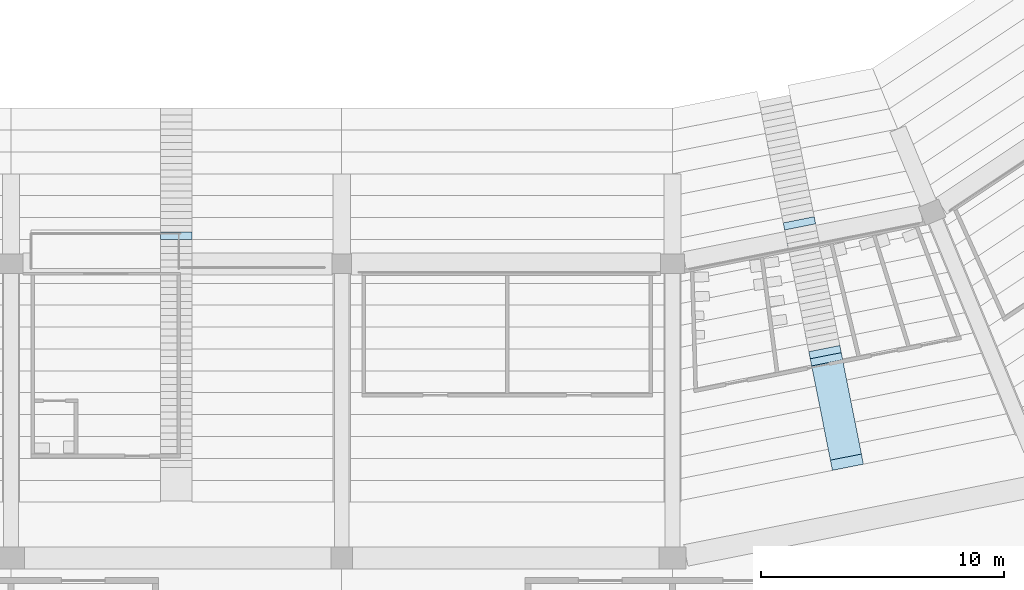
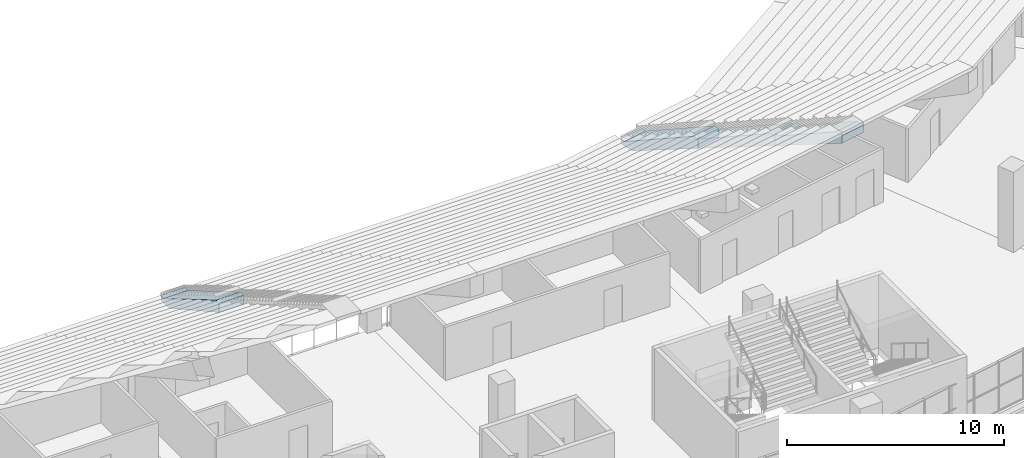
# One storey, part 67 of 249: 4 slabs.
"""IFC4 building model written with IfcOpenShell, lengths in metres."""

from ifc_helpers import new_model, si_unit, direction, frame, origin, place, context, subcontext, project, spatial, polyline, outline, extrude, material, layer, layer_set, type_object, element, save


model = new_model("IFC4")

# Units and contexts
model_context = context("Model", 3, precision=1e-05, world=origin(), true_north=direction((0.0, 1.0)))
body_context = subcontext(model_context, "Body", "Model", "MODEL_VIEW")
ifc_project = project(units=[si_unit("LENGTHUNIT", "METRE"), si_unit("AREAUNIT", "SQUARE_METRE"), si_unit("VOLUMEUNIT", "CUBIC_METRE"), si_unit("PLANEANGLEUNIT", "RADIAN"), si_unit("MASSUNIT", "GRAM", prefix="KILO")], contexts=[model_context])

# Site, building, storey
site_placement = place(None, origin())
site = spatial("IfcSite", under=ifc_project, at=site_placement, CompositionType="ELEMENT")
building_placement = place(site_placement, origin())
building = spatial("IfcBuilding", under=site, at=building_placement, Name="Ogive Plaza Stadium", CompositionType="ELEMENT")
storey_placement = place(building_placement, frame((0.0, 0.0, 13.5)))
storey = spatial("IfcBuildingStorey", under=building, at=storey_placement, Name="L03", CompositionType="ELEMENT", Elevation=13.5)

# Slabs
ifc_material = material(Name="Concrete C40/50", Category="concrete")
ifc_layer_1 = layer(ifc_material, 0.73486328125)
ifc_layer_set_1 = layer_set([ifc_layer_1], Name="Concrete C40/50")
ifc_layer_2 = layer(ifc_material, 0.449951171875)
ifc_layer_set_2 = layer_set([ifc_layer_2], Name="Concrete C40/50")
slab_type = type_object("IfcSlabType", Name="Aisle stair slab 1300", PredefinedType="USERDEFINED", material=ifc_layer_set_2)
slab_1_placement = place(storey_placement, frame((38.1943359375, -73.5869140625, -13.5), z_axis=(0.0, 0.0, 1.0), x_axis=(0.195090322016, -0.980785280403, 0.0)))
element("IfcSlab", 1, at=slab_1_placement, inside=storey, type_object=slab_type, material=ifc_layer_set_1, Name="Aisle stair SA11U slab 1", ObjectType="AISLE STAIR SLAB", PredefinedType="USERDEFINED", context=body_context, shape_type="SweptSolid", body=[
    extrude(outline(polyline([(0.0, 14.0), (0.2958984375, 14.0), (5.10009765625, 16.825927734375), (5.39990234375, 16.825927734375), (5.39990234375, 16.300048828125), (5.359375, 16.27734375), (5.209228515625, 16.194091796875), (5.059326171875, 16.110595703125), (4.9091796875, 16.02734375), (4.75927734375, 15.944091796875), (4.609375, 15.860595703125), (4.459228515625, 15.77734375), (4.309326171875, 15.694091796875), (4.1591796875, 15.610595703125), (4.00927734375, 15.52734375), (3.859375, 15.444091796875), (3.709228515625, 15.360595703125), (3.559326171875, 15.27734375), (3.4091796875, 15.194091796875), (3.25927734375, 15.110595703125), (3.109375, 15.02734375), (2.959228515625, 14.944091796875), (2.809326171875, 14.860595703125), (2.6591796875, 14.77734375), (2.50927734375, 14.694091796875), (2.359375, 14.610595703125), (2.209228515625, 14.52734375), (2.059326171875, 14.444091796875), (1.9091796875, 14.360595703125), (1.75927734375, 14.27734375), (1.609375, 14.194091796875), (1.459228515625, 14.110595703125), (1.309326171875, 14.02734375), (1.1591796875, 13.944091796875), (1.00927734375, 13.860595703125), (0.859375, 13.77734375), (0.709228515625, 13.75), (0.559326171875, 13.75), (0.4091796875, 13.75), (0.25927734375, 13.75), (0.109375, 13.75), (0.0, 14.0)])), frame((0.0, 0.64990234375, 0.0), z_axis=(0.0, -1.0, 0.0), x_axis=(1.0, 0.0, 0.0)), (0.0, 0.0, 1.0), 1.300048828125),
])
ifc_layer_3 = layer(ifc_material, 0.75927734375)
ifc_layer_set_3 = layer_set([ifc_layer_3], Name="Concrete C40/50")
slab_2_placement = place(storey_placement, frame((39.248046875, -78.883056640625, -13.5), z_axis=(0.0, 0.0, 1.0), x_axis=(0.195090322016, -0.980785280403, 0.0)))
element("IfcSlab", 2, at=slab_2_placement, inside=storey, type_object=slab_type, material=ifc_layer_set_3, Name="Aisle stair SA11U slab 2", ObjectType="AISLE STAIR SLAB", PredefinedType="USERDEFINED", context=body_context, shape_type="SweptSolid", body=[
    extrude(outline(polyline([(0.0, 17.0), (0.2958984375, 17.0), (5.10009765625, 19.825927734375), (5.39990234375, 19.825927734375), (5.39990234375, 19.300048828125), (5.25, 19.216796875), (5.10009765625, 19.13330078125), (4.949951171875, 19.050048828125), (4.800048828125, 18.966796875), (4.64990234375, 18.88330078125), (4.5, 18.800048828125), (4.35009765625, 18.716796875), (4.199951171875, 18.63330078125), (4.050048828125, 18.550048828125), (3.89990234375, 18.466796875), (3.75, 18.38330078125), (3.60009765625, 18.300048828125), (3.449951171875, 18.216796875), (3.300048828125, 18.13330078125), (3.14990234375, 18.050048828125), (3.0, 17.966796875), (2.85009765625, 17.88330078125), (2.699951171875, 17.800048828125), (2.550048828125, 17.716796875), (2.39990234375, 17.63330078125), (2.25, 17.550048828125), (2.10009765625, 17.466796875), (1.949951171875, 17.38330078125), (1.800048828125, 17.300048828125), (1.64990234375, 17.216796875), (1.5, 17.13330078125), (1.35009765625, 17.050048828125), (1.199951171875, 16.966796875), (1.050048828125, 16.88330078125), (0.89990234375, 16.800048828125), (0.75, 16.716796875), (0.60009765625, 16.63330078125), (0.449951171875, 16.550048828125), (0.300048828125, 16.466796875), (0.14990234375, 16.38330078125), (0.0, 16.300048828125), (0.0, 17.0)])), frame((0.0, 0.64990234375, 0.0), z_axis=(0.0, -1.0, 0.0), x_axis=(1.0, 0.0, 0.0)), (0.0, 0.0, 1.0), 1.300048828125),
])
ifc_layer_4 = layer(ifc_material, 0.81640625)
ifc_layer_set_4 = layer_set([ifc_layer_4], Name="Concrete C40/50")
slab_3_placement = place(storey_placement, frame((40.301513671875, -84.179443359375, -13.5), z_axis=(0.0, 0.0, 1.0), x_axis=(0.195090322016, -0.980785280403, 0.0)))
element("IfcSlab", 3, at=slab_3_placement, inside=storey, type_object=slab_type, material=ifc_layer_set_4, Name="Aisle stair SA11U slab 3", ObjectType="AISLE STAIR SLAB", PredefinedType="USERDEFINED", context=body_context, shape_type="SweptSolid", body=[
    extrude(outline(polyline([(0.0, 20.0), (0.2958984375, 20.0), (4.25, 22.325927734375), (4.675537109375, 22.325927734375), (4.675537109375, 21.897705078125), (4.64990234375, 21.88330078125), (4.5, 21.800048828125), (4.35009765625, 21.716796875), (4.199951171875, 21.63330078125), (4.050048828125, 21.550048828125), (3.89990234375, 21.466796875), (3.75, 21.38330078125), (3.60009765625, 21.300048828125), (3.449951171875, 21.216796875), (3.300048828125, 21.13330078125), (3.14990234375, 21.050048828125), (3.0, 20.966796875), (2.85009765625, 20.88330078125), (2.699951171875, 20.800048828125), (2.550048828125, 20.716796875), (2.39990234375, 20.63330078125), (2.25, 20.550048828125), (2.10009765625, 20.466796875), (1.949951171875, 20.38330078125), (1.800048828125, 20.300048828125), (1.64990234375, 20.216796875), (1.5, 20.13330078125), (1.35009765625, 20.050048828125), (1.199951171875, 19.966796875), (1.050048828125, 19.88330078125), (0.89990234375, 19.800048828125), (0.75, 19.716796875), (0.60009765625, 19.63330078125), (0.449951171875, 19.550048828125), (0.300048828125, 19.466796875), (0.14990234375, 19.38330078125), (0.0, 19.300048828125), (0.0, 20.0)])), frame((0.0, 0.64990234375, 0.0), z_axis=(0.0, -1.0, 0.0), x_axis=(1.0, 0.0, 0.0)), (0.0, 0.0, 1.0), 1.300048828125),
])
slab_4_placement = place(storey_placement, frame((13.60009765625, -74.0, -13.5), z_axis=(0.0, 0.0, 1.0), x_axis=(0.0, -1.0, 0.0)))
element("IfcSlab", 4, at=slab_4_placement, inside=storey, type_object=slab_type, material=ifc_layer_set_1, Name="Aisle stair SA13U slab 1", ObjectType="AISLE STAIR SLAB", PredefinedType="USERDEFINED", context=body_context, shape_type="SweptSolid", body=[
    extrude(outline(polyline([(0.0, 14.0), (0.2958984375, 14.0), (5.10009765625, 16.825927734375), (5.39990234375, 16.825927734375), (5.39990234375, 16.300048828125), (5.359375, 16.27734375), (5.209228515625, 16.194091796875), (5.059326171875, 16.110595703125), (4.9091796875, 16.02734375), (4.75927734375, 15.944091796875), (4.609375, 15.860595703125), (4.459228515625, 15.77734375), (4.309326171875, 15.694091796875), (4.1591796875, 15.610595703125), (4.00927734375, 15.52734375), (3.859375, 15.444091796875), (3.709228515625, 15.360595703125), (3.559326171875, 15.27734375), (3.4091796875, 15.194091796875), (3.25927734375, 15.110595703125), (3.109375, 15.02734375), (2.959228515625, 14.944091796875), (2.809326171875, 14.860595703125), (2.6591796875, 14.77734375), (2.50927734375, 14.694091796875), (2.359375, 14.610595703125), (2.209228515625, 14.52734375), (2.059326171875, 14.444091796875), (1.9091796875, 14.360595703125), (1.75927734375, 14.27734375), (1.609375, 14.194091796875), (1.459228515625, 14.110595703125), (1.309326171875, 14.02734375), (1.1591796875, 13.944091796875), (1.00927734375, 13.860595703125), (0.859375, 13.77734375), (0.709228515625, 13.75), (0.559326171875, 13.75), (0.4091796875, 13.75), (0.25927734375, 13.75), (0.109375, 13.75), (0.0, 14.0)])), frame((0.0, 0.64990234375, 0.0), z_axis=(0.0, -1.0, 0.0), x_axis=(1.0, 0.0, 0.0)), (0.0, 0.0, 1.0), 1.300048828125),
])

save(model, "model.ifc")
